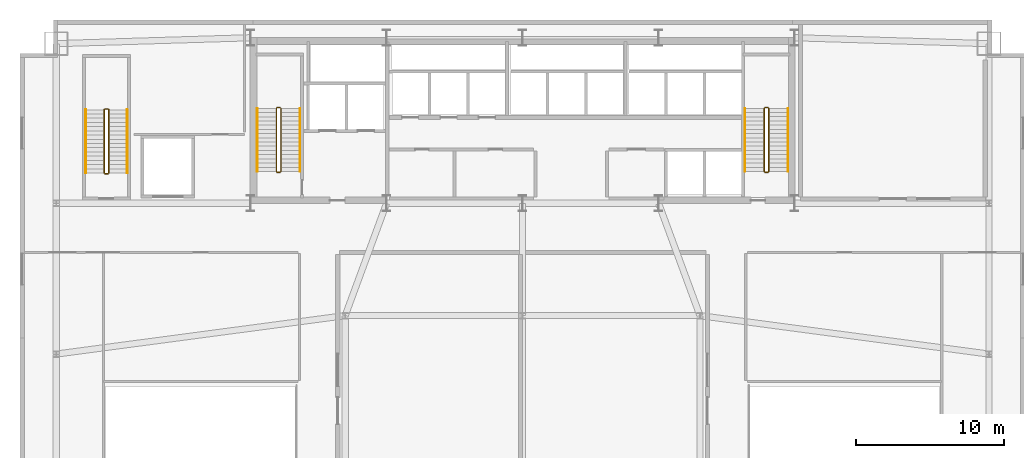
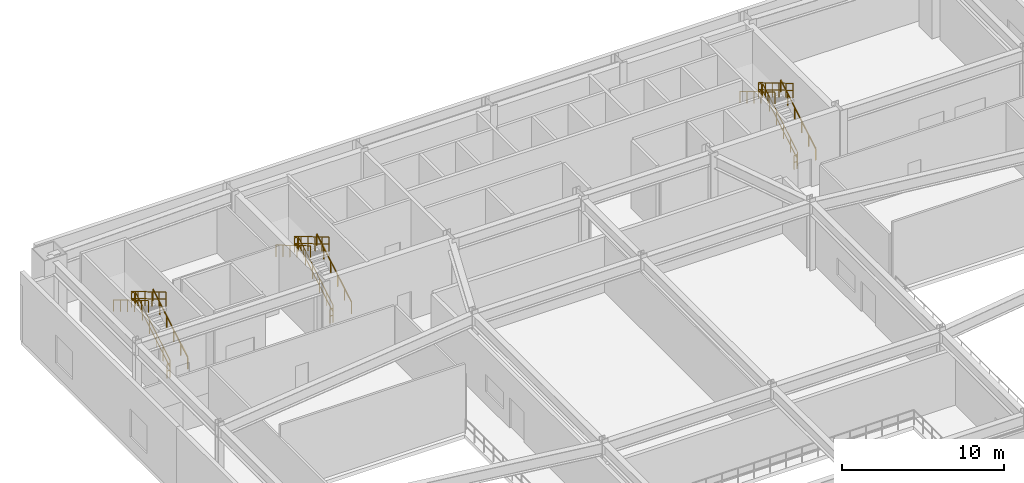
# One storey, part 13 of 13: 18 railings.
"""IFC4 building model written with IfcOpenShell, lengths in metres."""

from ifc_helpers import new_model, si_unit, direction, frame, origin, origin_2d, place, context, subcontext, project, spatial, rectangle, extrude, material, type_object, element, save


model = new_model("IFC4")

# Units and contexts
model_context = context("Model", 3, precision=1e-05, world=origin(), true_north=direction((0.0, 1.0)))
body_context = subcontext(model_context, "Body", "Model", "MODEL_VIEW")
ifc_project = project(units=[si_unit("LENGTHUNIT", "METRE"), si_unit("AREAUNIT", "SQUARE_METRE"), si_unit("VOLUMEUNIT", "CUBIC_METRE"), si_unit("PLANEANGLEUNIT", "RADIAN"), si_unit("MASSUNIT", "GRAM", prefix="KILO")], contexts=[model_context])

# Site, building, storey
site_placement = place(None, origin())
site = spatial("IfcSite", under=ifc_project, at=site_placement, CompositionType="ELEMENT")
building_placement = place(site_placement, origin())
building = spatial("IfcBuilding", under=site, at=building_placement, Name="Varnel Quay Broadcast Tower", CompositionType="ELEMENT")
storey_placement = place(building_placement, frame((0.0, 0.0, 6.0)))
storey = spatial("IfcBuildingStorey", under=building, at=storey_placement, Name="L01", CompositionType="ELEMENT", Elevation=6.0)

# Railings
ifc_material = material(Name="Painted Steel Guard and Handrail CSA G40.21 350W", Category="steel")
railing_type_1 = type_object("IfcRailingType", Name="Rail_StairGuard1100", PredefinedType="GUARDRAIL", material=ifc_material)
railing_1_placement = place(storey_placement, frame((17.64990234375, 37.75, 0.168701171875)))
element("IfcRailing", 1, at=railing_1_placement, inside=storey, type_object=railing_type_1, Name="L01 ST-01 stair guard 1", PredefinedType="GUARDRAIL", context=body_context, shape_type="SweptSolid", body=[
    extrude(rectangle(XDim=0.048095703125, YDim=0.048095703125, at=origin_2d()), frame((0.0, 0.0, 1.076171875), z_axis=(0.0, 0.860470286479, 0.509500624227), x_axis=(-1.0, 0.0, 0.0)), (0.0, 0.0, 1.0), 4.968017578125),
    extrude(rectangle(XDim=0.048095703125, YDim=0.048095703125, at=origin_2d()), frame((0.0, 0.0, 0.550048828125), z_axis=(0.0, 0.860470286479, 0.509500624227), x_axis=(-1.0, 0.0, 0.0)), (0.0, 0.0, 1.0), 4.968017578125),
    extrude(rectangle(XDim=0.0419921875, YDim=0.0419921875, at=origin_2d()), origin(), (0.0, 0.0, 1.0), 1.052001953125),
    extrude(rectangle(XDim=0.0419921875, YDim=0.0419921875, at=origin_2d()), frame((0.0, 0.85498046875, 0.50634765625)), (0.0, 0.0, 1.0), 1.052001953125),
    extrude(rectangle(XDim=0.0419921875, YDim=0.0419921875, at=origin_2d()), frame((0.0, 1.7099609375, 1.012451171875)), (0.0, 0.0, 1.0), 1.052001953125),
    extrude(rectangle(XDim=0.0419921875, YDim=0.0419921875, at=origin_2d()), frame((0.0, 2.56494140625, 1.518798828125)), (0.0, 0.0, 1.0), 1.052001953125),
    extrude(rectangle(XDim=0.0419921875, YDim=0.0419921875, at=origin_2d()), frame((0.0, 3.419921875, 2.02490234375)), (0.0, 0.0, 1.0), 1.052001953125),
    extrude(rectangle(XDim=0.0419921875, YDim=0.0419921875, at=origin_2d()), frame((0.0, 4.27490234375, 2.53125)), (0.0, 0.0, 1.0), 1.052001953125),
])
railing_2_placement = place(storey_placement, frame((17.60009765625, 42.074951171875, 2.699951171875)))
element("IfcRailing", 2, at=railing_2_placement, inside=storey, type_object=railing_type_1, Name="L01 ST-01 stair guard 2", PredefinedType="GUARDRAIL", context=body_context, shape_type="SweptSolid", body=[
    extrude(rectangle(XDim=0.048095703125, YDim=0.048095703125, at=origin_2d()), frame((0.0, 0.0, 1.076171875), z_axis=(-1.0, 0.0, 0.0), x_axis=(0.0, -1.0, 0.0)), (0.0, 0.0, 1.0), 0.2001953125),
    extrude(rectangle(XDim=0.048095703125, YDim=0.048095703125, at=origin_2d()), frame((0.0, 0.0, 0.550048828125), z_axis=(-1.0, 0.0, 0.0), x_axis=(0.0, -1.0, 0.0)), (0.0, 0.0, 1.0), 0.2001953125),
    extrude(rectangle(XDim=0.0419921875, YDim=0.0419921875, at=origin_2d()), origin(), (0.0, 0.0, 1.0), 1.052001953125),
    extrude(rectangle(XDim=0.0419921875, YDim=0.0419921875, at=origin_2d()), frame((-0.2001953125, 0.0, 0.0)), (0.0, 0.0, 1.0), 1.052001953125),
])
railing_3_placement = place(storey_placement, frame((17.35009765625, 42.02490234375, 2.86865234375)))
element("IfcRailing", 3, at=railing_3_placement, inside=storey, type_object=railing_type_1, Name="L01 ST-01 stair guard 3", PredefinedType="GUARDRAIL", context=body_context, shape_type="SweptSolid", body=[
    extrude(rectangle(XDim=0.048095703125, YDim=0.048095703125, at=origin_2d()), frame((0.0, 0.0, 1.076171875), z_axis=(0.0, -0.860470286479, 0.509500624227), x_axis=(1.0, 0.0, 0.0)), (0.0, 0.0, 1.0), 4.968017578125),
    extrude(rectangle(XDim=0.048095703125, YDim=0.048095703125, at=origin_2d()), frame((0.0, 0.0, 0.550048828125), z_axis=(0.0, -0.860470286479, 0.509500624227), x_axis=(1.0, 0.0, 0.0)), (0.0, 0.0, 1.0), 4.968017578125),
    extrude(rectangle(XDim=0.0419921875, YDim=0.0419921875, at=origin_2d()), origin(), (0.0, 0.0, 1.0), 1.052001953125),
    extrude(rectangle(XDim=0.0419921875, YDim=0.0419921875, at=origin_2d()), frame((0.0, -0.85498046875, 0.50634765625)), (0.0, 0.0, 1.0), 1.052001953125),
    extrude(rectangle(XDim=0.0419921875, YDim=0.0419921875, at=origin_2d()), frame((0.0, -1.7099609375, 1.012451171875)), (0.0, 0.0, 1.0), 1.052001953125),
    extrude(rectangle(XDim=0.0419921875, YDim=0.0419921875, at=origin_2d()), frame((0.0, -2.56494140625, 1.518798828125)), (0.0, 0.0, 1.0), 1.052001953125),
    extrude(rectangle(XDim=0.0419921875, YDim=0.0419921875, at=origin_2d()), frame((0.0, -3.419921875, 2.02490234375)), (0.0, 0.0, 1.0), 1.052001953125),
    extrude(rectangle(XDim=0.0419921875, YDim=0.0419921875, at=origin_2d()), frame((0.0, -4.27490234375, 2.53125)), (0.0, 0.0, 1.0), 1.052001953125),
])
railing_4_placement = place(storey_placement, frame((17.60009765625, 37.699951171875, 0.0)))
element("IfcRailing", 4, at=railing_4_placement, inside=storey, type_object=railing_type_1, Name="L01 ST-01 stair guard 4", PredefinedType="GUARDRAIL", context=body_context, shape_type="SweptSolid", body=[
    extrude(rectangle(XDim=0.048095703125, YDim=0.048095703125, at=origin_2d()), frame((0.0, 0.0, 1.076171875), z_axis=(-1.0, 0.0, 0.0), x_axis=(0.0, -1.0, 0.0)), (0.0, 0.0, 1.0), 0.2001953125),
    extrude(rectangle(XDim=0.048095703125, YDim=0.048095703125, at=origin_2d()), frame((0.0, 0.0, 0.550048828125), z_axis=(-1.0, 0.0, 0.0), x_axis=(0.0, -1.0, 0.0)), (0.0, 0.0, 1.0), 0.2001953125),
    extrude(rectangle(XDim=0.0419921875, YDim=0.0419921875, at=origin_2d()), origin(), (0.0, 0.0, 1.0), 1.052001953125),
    extrude(rectangle(XDim=0.0419921875, YDim=0.0419921875, at=origin_2d()), frame((-0.2001953125, 0.0, 0.0)), (0.0, 0.0, 1.0), 1.052001953125),
])
railing_5_placement = place(storey_placement, frame((50.64990234375, 37.75, 0.168701171875)))
element("IfcRailing", 5, at=railing_5_placement, inside=storey, type_object=railing_type_1, Name="L01 ST-02 stair guard 1", PredefinedType="GUARDRAIL", context=body_context, shape_type="SweptSolid", body=[
    extrude(rectangle(XDim=0.048095703125, YDim=0.048095703125, at=origin_2d()), frame((0.0, 0.0, 1.076171875), z_axis=(0.0, 0.860470286479, 0.509500624227), x_axis=(-1.0, 0.0, 0.0)), (0.0, 0.0, 1.0), 4.968017578125),
    extrude(rectangle(XDim=0.048095703125, YDim=0.048095703125, at=origin_2d()), frame((0.0, 0.0, 0.550048828125), z_axis=(0.0, 0.860470286479, 0.509500624227), x_axis=(-1.0, 0.0, 0.0)), (0.0, 0.0, 1.0), 4.968017578125),
    extrude(rectangle(XDim=0.0419921875, YDim=0.0419921875, at=origin_2d()), origin(), (0.0, 0.0, 1.0), 1.052001953125),
    extrude(rectangle(XDim=0.0419921875, YDim=0.0419921875, at=origin_2d()), frame((0.0, 0.85498046875, 0.50634765625)), (0.0, 0.0, 1.0), 1.052001953125),
    extrude(rectangle(XDim=0.0419921875, YDim=0.0419921875, at=origin_2d()), frame((0.0, 1.7099609375, 1.012451171875)), (0.0, 0.0, 1.0), 1.052001953125),
    extrude(rectangle(XDim=0.0419921875, YDim=0.0419921875, at=origin_2d()), frame((0.0, 2.56494140625, 1.518798828125)), (0.0, 0.0, 1.0), 1.052001953125),
    extrude(rectangle(XDim=0.0419921875, YDim=0.0419921875, at=origin_2d()), frame((0.0, 3.419921875, 2.02490234375)), (0.0, 0.0, 1.0), 1.052001953125),
    extrude(rectangle(XDim=0.0419921875, YDim=0.0419921875, at=origin_2d()), frame((0.0, 4.27490234375, 2.53125)), (0.0, 0.0, 1.0), 1.052001953125),
])
railing_6_placement = place(storey_placement, frame((50.60009765625, 42.074951171875, 2.699951171875)))
element("IfcRailing", 6, at=railing_6_placement, inside=storey, type_object=railing_type_1, Name="L01 ST-02 stair guard 2", PredefinedType="GUARDRAIL", context=body_context, shape_type="SweptSolid", body=[
    extrude(rectangle(XDim=0.048095703125, YDim=0.048095703125, at=origin_2d()), frame((0.0, 0.0, 1.076171875), z_axis=(-1.0, 0.0, 0.0), x_axis=(0.0, -1.0, 0.0)), (0.0, 0.0, 1.0), 0.2001953125),
    extrude(rectangle(XDim=0.048095703125, YDim=0.048095703125, at=origin_2d()), frame((0.0, 0.0, 0.550048828125), z_axis=(-1.0, 0.0, 0.0), x_axis=(0.0, -1.0, 0.0)), (0.0, 0.0, 1.0), 0.2001953125),
    extrude(rectangle(XDim=0.0419921875, YDim=0.0419921875, at=origin_2d()), origin(), (0.0, 0.0, 1.0), 1.052001953125),
    extrude(rectangle(XDim=0.0419921875, YDim=0.0419921875, at=origin_2d()), frame((-0.2001953125, 0.0, 0.0)), (0.0, 0.0, 1.0), 1.052001953125),
])
railing_7_placement = place(storey_placement, frame((50.35009765625, 42.02490234375, 2.86865234375)))
element("IfcRailing", 7, at=railing_7_placement, inside=storey, type_object=railing_type_1, Name="L01 ST-02 stair guard 3", PredefinedType="GUARDRAIL", context=body_context, shape_type="SweptSolid", body=[
    extrude(rectangle(XDim=0.048095703125, YDim=0.048095703125, at=origin_2d()), frame((0.0, 0.0, 1.076171875), z_axis=(0.0, -0.860470286479, 0.509500624227), x_axis=(1.0, 0.0, 0.0)), (0.0, 0.0, 1.0), 4.968017578125),
    extrude(rectangle(XDim=0.048095703125, YDim=0.048095703125, at=origin_2d()), frame((0.0, 0.0, 0.550048828125), z_axis=(0.0, -0.860470286479, 0.509500624227), x_axis=(1.0, 0.0, 0.0)), (0.0, 0.0, 1.0), 4.968017578125),
    extrude(rectangle(XDim=0.0419921875, YDim=0.0419921875, at=origin_2d()), origin(), (0.0, 0.0, 1.0), 1.052001953125),
    extrude(rectangle(XDim=0.0419921875, YDim=0.0419921875, at=origin_2d()), frame((0.0, -0.85498046875, 0.50634765625)), (0.0, 0.0, 1.0), 1.052001953125),
    extrude(rectangle(XDim=0.0419921875, YDim=0.0419921875, at=origin_2d()), frame((0.0, -1.7099609375, 1.012451171875)), (0.0, 0.0, 1.0), 1.052001953125),
    extrude(rectangle(XDim=0.0419921875, YDim=0.0419921875, at=origin_2d()), frame((0.0, -2.56494140625, 1.518798828125)), (0.0, 0.0, 1.0), 1.052001953125),
    extrude(rectangle(XDim=0.0419921875, YDim=0.0419921875, at=origin_2d()), frame((0.0, -3.419921875, 2.02490234375)), (0.0, 0.0, 1.0), 1.052001953125),
    extrude(rectangle(XDim=0.0419921875, YDim=0.0419921875, at=origin_2d()), frame((0.0, -4.27490234375, 2.53125)), (0.0, 0.0, 1.0), 1.052001953125),
])
railing_8_placement = place(storey_placement, frame((50.60009765625, 37.699951171875, 0.0)))
element("IfcRailing", 8, at=railing_8_placement, inside=storey, type_object=railing_type_1, Name="L01 ST-02 stair guard 4", PredefinedType="GUARDRAIL", context=body_context, shape_type="SweptSolid", body=[
    extrude(rectangle(XDim=0.048095703125, YDim=0.048095703125, at=origin_2d()), frame((0.0, 0.0, 1.076171875), z_axis=(-1.0, 0.0, 0.0), x_axis=(0.0, -1.0, 0.0)), (0.0, 0.0, 1.0), 0.2001953125),
    extrude(rectangle(XDim=0.048095703125, YDim=0.048095703125, at=origin_2d()), frame((0.0, 0.0, 0.550048828125), z_axis=(-1.0, 0.0, 0.0), x_axis=(0.0, -1.0, 0.0)), (0.0, 0.0, 1.0), 0.2001953125),
    extrude(rectangle(XDim=0.0419921875, YDim=0.0419921875, at=origin_2d()), origin(), (0.0, 0.0, 1.0), 1.052001953125),
    extrude(rectangle(XDim=0.0419921875, YDim=0.0419921875, at=origin_2d()), frame((-0.2001953125, 0.0, 0.0)), (0.0, 0.0, 1.0), 1.052001953125),
])
railing_9_placement = place(storey_placement, frame((6.0, 37.64990234375, 0.168701171875)))
element("IfcRailing", 9, at=railing_9_placement, inside=storey, type_object=railing_type_1, Name="L01 ST-03 stair guard 1", PredefinedType="GUARDRAIL", context=body_context, shape_type="SweptSolid", body=[
    extrude(rectangle(XDim=0.048095703125, YDim=0.048095703125, at=origin_2d()), frame((0.0, 0.0, 1.076171875), z_axis=(0.0, 0.860483042394, 0.50947908078), x_axis=(-1.0, 0.0, 0.0)), (0.0, 0.0, 1.0), 4.96826171875),
    extrude(rectangle(XDim=0.048095703125, YDim=0.048095703125, at=origin_2d()), frame((0.0, 0.0, 0.550048828125), z_axis=(0.0, 0.860483042394, 0.50947908078), x_axis=(-1.0, 0.0, 0.0)), (0.0, 0.0, 1.0), 4.96826171875),
    extrude(rectangle(XDim=0.0419921875, YDim=0.0419921875, at=origin_2d()), origin(), (0.0, 0.0, 1.0), 1.052001953125),
    extrude(rectangle(XDim=0.0419921875, YDim=0.0419921875, at=origin_2d()), frame((0.0, 0.85498046875, 0.50634765625)), (0.0, 0.0, 1.0), 1.052001953125),
    extrude(rectangle(XDim=0.0419921875, YDim=0.0419921875, at=origin_2d()), frame((0.0, 1.7099609375, 1.012451171875)), (0.0, 0.0, 1.0), 1.052001953125),
    extrude(rectangle(XDim=0.0419921875, YDim=0.0419921875, at=origin_2d()), frame((0.0, 2.565185546875, 1.518798828125)), (0.0, 0.0, 1.0), 1.052001953125),
    extrude(rectangle(XDim=0.0419921875, YDim=0.0419921875, at=origin_2d()), frame((0.0, 3.420166015625, 2.02490234375)), (0.0, 0.0, 1.0), 1.052001953125),
    extrude(rectangle(XDim=0.0419921875, YDim=0.0419921875, at=origin_2d()), frame((0.0, 4.275146484375, 2.53125)), (0.0, 0.0, 1.0), 1.052001953125),
])
railing_10_placement = place(storey_placement, frame((5.949951171875, 41.97509765625, 2.699951171875)))
element("IfcRailing", 10, at=railing_10_placement, inside=storey, type_object=railing_type_1, Name="L01 ST-03 stair guard 2", PredefinedType="GUARDRAIL", context=body_context, shape_type="SweptSolid", body=[
    extrude(rectangle(XDim=0.048095703125, YDim=0.048095703125, at=origin_2d()), frame((0.0, 0.0, 1.076171875), z_axis=(-1.0, 0.0, 0.0), x_axis=(0.0, -1.0, 0.0)), (0.0, 0.0, 1.0), 0.199951171875),
    extrude(rectangle(XDim=0.048095703125, YDim=0.048095703125, at=origin_2d()), frame((0.0, 0.0, 0.550048828125), z_axis=(-1.0, 0.0, 0.0), x_axis=(0.0, -1.0, 0.0)), (0.0, 0.0, 1.0), 0.199951171875),
    extrude(rectangle(XDim=0.0419921875, YDim=0.0419921875, at=origin_2d()), origin(), (0.0, 0.0, 1.0), 1.052001953125),
    extrude(rectangle(XDim=0.0419921875, YDim=0.0419921875, at=origin_2d()), frame((-0.199951171875, 0.0, 0.0)), (0.0, 0.0, 1.0), 1.052001953125),
])
railing_11_placement = place(storey_placement, frame((5.699951171875, 41.925048828125, 2.86865234375)))
element("IfcRailing", 11, at=railing_11_placement, inside=storey, type_object=railing_type_1, Name="L01 ST-03 stair guard 3", PredefinedType="GUARDRAIL", context=body_context, shape_type="SweptSolid", body=[
    extrude(rectangle(XDim=0.048095703125, YDim=0.048095703125, at=origin_2d()), frame((0.0, 0.0, 1.076171875), z_axis=(0.0, -0.860483042394, 0.50947908078), x_axis=(1.0, 0.0, 0.0)), (0.0, 0.0, 1.0), 4.96826171875),
    extrude(rectangle(XDim=0.048095703125, YDim=0.048095703125, at=origin_2d()), frame((0.0, 0.0, 0.550048828125), z_axis=(0.0, -0.860483042394, 0.50947908078), x_axis=(1.0, 0.0, 0.0)), (0.0, 0.0, 1.0), 4.96826171875),
    extrude(rectangle(XDim=0.0419921875, YDim=0.0419921875, at=origin_2d()), origin(), (0.0, 0.0, 1.0), 1.052001953125),
    extrude(rectangle(XDim=0.0419921875, YDim=0.0419921875, at=origin_2d()), frame((0.0, -0.85498046875, 0.50634765625)), (0.0, 0.0, 1.0), 1.052001953125),
    extrude(rectangle(XDim=0.0419921875, YDim=0.0419921875, at=origin_2d()), frame((0.0, -1.7099609375, 1.012451171875)), (0.0, 0.0, 1.0), 1.052001953125),
    extrude(rectangle(XDim=0.0419921875, YDim=0.0419921875, at=origin_2d()), frame((0.0, -2.565185546875, 1.518798828125)), (0.0, 0.0, 1.0), 1.052001953125),
    extrude(rectangle(XDim=0.0419921875, YDim=0.0419921875, at=origin_2d()), frame((0.0, -3.420166015625, 2.02490234375)), (0.0, 0.0, 1.0), 1.052001953125),
    extrude(rectangle(XDim=0.0419921875, YDim=0.0419921875, at=origin_2d()), frame((0.0, -4.275146484375, 2.53125)), (0.0, 0.0, 1.0), 1.052001953125),
])
railing_12_placement = place(storey_placement, frame((5.949951171875, 37.60009765625, 0.0)))
element("IfcRailing", 12, at=railing_12_placement, inside=storey, type_object=railing_type_1, Name="L01 ST-03 stair guard 4", PredefinedType="GUARDRAIL", context=body_context, shape_type="SweptSolid", body=[
    extrude(rectangle(XDim=0.048095703125, YDim=0.048095703125, at=origin_2d()), frame((0.0, 0.0, 1.076171875), z_axis=(-1.0, 0.0, 0.0), x_axis=(0.0, -1.0, 0.0)), (0.0, 0.0, 1.0), 0.199951171875),
    extrude(rectangle(XDim=0.048095703125, YDim=0.048095703125, at=origin_2d()), frame((0.0, 0.0, 0.550048828125), z_axis=(-1.0, 0.0, 0.0), x_axis=(0.0, -1.0, 0.0)), (0.0, 0.0, 1.0), 0.199951171875),
    extrude(rectangle(XDim=0.0419921875, YDim=0.0419921875, at=origin_2d()), origin(), (0.0, 0.0, 1.0), 1.052001953125),
    extrude(rectangle(XDim=0.0419921875, YDim=0.0419921875, at=origin_2d()), frame((-0.199951171875, 0.0, 0.0)), (0.0, 0.0, 1.0), 1.052001953125),
])
railing_type_2 = type_object("IfcRailingType", Name="Rail_StairHandrail900", PredefinedType="HANDRAIL", material=ifc_material)
railing_13_placement = place(storey_placement, frame((18.949951171875, 37.75, 0.168701171875)))
element("IfcRailing", 13, at=railing_13_placement, inside=storey, type_object=railing_type_2, Name="L01 ST-01 stair handrail 1", PredefinedType="HANDRAIL", context=body_context, shape_type="SweptSolid", body=[
    extrude(rectangle(XDim=0.048095703125, YDim=0.048095703125, at=origin_2d()), frame((0.0, 0.0, 0.8759765625), z_axis=(0.0, 0.860470286479, 0.509500624227), x_axis=(-1.0, 0.0, 0.0)), (0.0, 0.0, 1.0), 4.968017578125),
    extrude(rectangle(XDim=0.0419921875, YDim=0.0419921875, at=origin_2d()), origin(), (0.0, 0.0, 1.0), 0.851806640625),
    extrude(rectangle(XDim=0.0419921875, YDim=0.0419921875, at=origin_2d()), frame((0.0, 0.85498046875, 0.50634765625)), (0.0, 0.0, 1.0), 0.851806640625),
    extrude(rectangle(XDim=0.0419921875, YDim=0.0419921875, at=origin_2d()), frame((0.0, 1.7099609375, 1.012451171875)), (0.0, 0.0, 1.0), 0.851806640625),
    extrude(rectangle(XDim=0.0419921875, YDim=0.0419921875, at=origin_2d()), frame((0.0, 2.56494140625, 1.518798828125)), (0.0, 0.0, 1.0), 0.851806640625),
    extrude(rectangle(XDim=0.0419921875, YDim=0.0419921875, at=origin_2d()), frame((0.0, 3.419921875, 2.02490234375)), (0.0, 0.0, 1.0), 0.851806640625),
    extrude(rectangle(XDim=0.0419921875, YDim=0.0419921875, at=origin_2d()), frame((0.0, 4.27490234375, 2.53125)), (0.0, 0.0, 1.0), 0.851806640625),
])
railing_14_placement = place(storey_placement, frame((16.050048828125, 42.02490234375, 2.86865234375)))
element("IfcRailing", 14, at=railing_14_placement, inside=storey, type_object=railing_type_2, Name="L01 ST-01 stair handrail 2", PredefinedType="HANDRAIL", context=body_context, shape_type="SweptSolid", body=[
    extrude(rectangle(XDim=0.048095703125, YDim=0.048095703125, at=origin_2d()), frame((0.0, 0.0, 0.8759765625), z_axis=(0.0, -0.860470286479, 0.509500624227), x_axis=(1.0, 0.0, 0.0)), (0.0, 0.0, 1.0), 4.968017578125),
    extrude(rectangle(XDim=0.0419921875, YDim=0.0419921875, at=origin_2d()), origin(), (0.0, 0.0, 1.0), 0.851806640625),
    extrude(rectangle(XDim=0.0419921875, YDim=0.0419921875, at=origin_2d()), frame((0.0, -0.85498046875, 0.50634765625)), (0.0, 0.0, 1.0), 0.851806640625),
    extrude(rectangle(XDim=0.0419921875, YDim=0.0419921875, at=origin_2d()), frame((0.0, -1.7099609375, 1.012451171875)), (0.0, 0.0, 1.0), 0.851806640625),
    extrude(rectangle(XDim=0.0419921875, YDim=0.0419921875, at=origin_2d()), frame((0.0, -2.56494140625, 1.518798828125)), (0.0, 0.0, 1.0), 0.851806640625),
    extrude(rectangle(XDim=0.0419921875, YDim=0.0419921875, at=origin_2d()), frame((0.0, -3.419921875, 2.02490234375)), (0.0, 0.0, 1.0), 0.851806640625),
    extrude(rectangle(XDim=0.0419921875, YDim=0.0419921875, at=origin_2d()), frame((0.0, -4.27490234375, 2.53125)), (0.0, 0.0, 1.0), 0.851806640625),
])
railing_15_placement = place(storey_placement, frame((51.949951171875, 37.75, 0.168701171875)))
element("IfcRailing", 15, at=railing_15_placement, inside=storey, type_object=railing_type_2, Name="L01 ST-02 stair handrail 1", PredefinedType="HANDRAIL", context=body_context, shape_type="SweptSolid", body=[
    extrude(rectangle(XDim=0.048095703125, YDim=0.048095703125, at=origin_2d()), frame((0.0, 0.0, 0.8759765625), z_axis=(0.0, 0.860470286479, 0.509500624227), x_axis=(-1.0, 0.0, 0.0)), (0.0, 0.0, 1.0), 4.968017578125),
    extrude(rectangle(XDim=0.0419921875, YDim=0.0419921875, at=origin_2d()), origin(), (0.0, 0.0, 1.0), 0.851806640625),
    extrude(rectangle(XDim=0.0419921875, YDim=0.0419921875, at=origin_2d()), frame((0.0, 0.85498046875, 0.50634765625)), (0.0, 0.0, 1.0), 0.851806640625),
    extrude(rectangle(XDim=0.0419921875, YDim=0.0419921875, at=origin_2d()), frame((0.0, 1.7099609375, 1.012451171875)), (0.0, 0.0, 1.0), 0.851806640625),
    extrude(rectangle(XDim=0.0419921875, YDim=0.0419921875, at=origin_2d()), frame((0.0, 2.56494140625, 1.518798828125)), (0.0, 0.0, 1.0), 0.851806640625),
    extrude(rectangle(XDim=0.0419921875, YDim=0.0419921875, at=origin_2d()), frame((0.0, 3.419921875, 2.02490234375)), (0.0, 0.0, 1.0), 0.851806640625),
    extrude(rectangle(XDim=0.0419921875, YDim=0.0419921875, at=origin_2d()), frame((0.0, 4.27490234375, 2.53125)), (0.0, 0.0, 1.0), 0.851806640625),
])
railing_16_placement = place(storey_placement, frame((49.050048828125, 42.02490234375, 2.86865234375)))
element("IfcRailing", 16, at=railing_16_placement, inside=storey, type_object=railing_type_2, Name="L01 ST-02 stair handrail 2", PredefinedType="HANDRAIL", context=body_context, shape_type="SweptSolid", body=[
    extrude(rectangle(XDim=0.048095703125, YDim=0.048095703125, at=origin_2d()), frame((0.0, 0.0, 0.8759765625), z_axis=(0.0, -0.860470286479, 0.509500624227), x_axis=(1.0, 0.0, 0.0)), (0.0, 0.0, 1.0), 4.968017578125),
    extrude(rectangle(XDim=0.0419921875, YDim=0.0419921875, at=origin_2d()), origin(), (0.0, 0.0, 1.0), 0.851806640625),
    extrude(rectangle(XDim=0.0419921875, YDim=0.0419921875, at=origin_2d()), frame((0.0, -0.85498046875, 0.50634765625)), (0.0, 0.0, 1.0), 0.851806640625),
    extrude(rectangle(XDim=0.0419921875, YDim=0.0419921875, at=origin_2d()), frame((0.0, -1.7099609375, 1.012451171875)), (0.0, 0.0, 1.0), 0.851806640625),
    extrude(rectangle(XDim=0.0419921875, YDim=0.0419921875, at=origin_2d()), frame((0.0, -2.56494140625, 1.518798828125)), (0.0, 0.0, 1.0), 0.851806640625),
    extrude(rectangle(XDim=0.0419921875, YDim=0.0419921875, at=origin_2d()), frame((0.0, -3.419921875, 2.02490234375)), (0.0, 0.0, 1.0), 0.851806640625),
    extrude(rectangle(XDim=0.0419921875, YDim=0.0419921875, at=origin_2d()), frame((0.0, -4.27490234375, 2.53125)), (0.0, 0.0, 1.0), 0.851806640625),
])
railing_17_placement = place(storey_placement, frame((7.25, 37.64990234375, 0.168701171875)))
element("IfcRailing", 17, at=railing_17_placement, inside=storey, type_object=railing_type_2, Name="L01 ST-03 stair handrail 1", PredefinedType="HANDRAIL", context=body_context, shape_type="SweptSolid", body=[
    extrude(rectangle(XDim=0.048095703125, YDim=0.048095703125, at=origin_2d()), frame((0.0, 0.0, 0.8759765625), z_axis=(0.0, 0.860483042394, 0.50947908078), x_axis=(-1.0, 0.0, 0.0)), (0.0, 0.0, 1.0), 4.96826171875),
    extrude(rectangle(XDim=0.0419921875, YDim=0.0419921875, at=origin_2d()), origin(), (0.0, 0.0, 1.0), 0.851806640625),
    extrude(rectangle(XDim=0.0419921875, YDim=0.0419921875, at=origin_2d()), frame((0.0, 0.85498046875, 0.50634765625)), (0.0, 0.0, 1.0), 0.851806640625),
    extrude(rectangle(XDim=0.0419921875, YDim=0.0419921875, at=origin_2d()), frame((0.0, 1.7099609375, 1.012451171875)), (0.0, 0.0, 1.0), 0.851806640625),
    extrude(rectangle(XDim=0.0419921875, YDim=0.0419921875, at=origin_2d()), frame((0.0, 2.565185546875, 1.518798828125)), (0.0, 0.0, 1.0), 0.851806640625),
    extrude(rectangle(XDim=0.0419921875, YDim=0.0419921875, at=origin_2d()), frame((0.0, 3.420166015625, 2.02490234375)), (0.0, 0.0, 1.0), 0.851806640625),
    extrude(rectangle(XDim=0.0419921875, YDim=0.0419921875, at=origin_2d()), frame((0.0, 4.275146484375, 2.53125)), (0.0, 0.0, 1.0), 0.851806640625),
])
railing_18_placement = place(storey_placement, frame((4.449951171875, 41.925048828125, 2.86865234375)))
element("IfcRailing", 18, at=railing_18_placement, inside=storey, type_object=railing_type_2, Name="L01 ST-03 stair handrail 2", PredefinedType="HANDRAIL", context=body_context, shape_type="SweptSolid", body=[
    extrude(rectangle(XDim=0.048095703125, YDim=0.048095703125, at=origin_2d()), frame((0.0, 0.0, 0.8759765625), z_axis=(0.0, -0.860483042394, 0.50947908078), x_axis=(1.0, 0.0, 0.0)), (0.0, 0.0, 1.0), 4.96826171875),
    extrude(rectangle(XDim=0.0419921875, YDim=0.0419921875, at=origin_2d()), origin(), (0.0, 0.0, 1.0), 0.851806640625),
    extrude(rectangle(XDim=0.0419921875, YDim=0.0419921875, at=origin_2d()), frame((0.0, -0.85498046875, 0.50634765625)), (0.0, 0.0, 1.0), 0.851806640625),
    extrude(rectangle(XDim=0.0419921875, YDim=0.0419921875, at=origin_2d()), frame((0.0, -1.7099609375, 1.012451171875)), (0.0, 0.0, 1.0), 0.851806640625),
    extrude(rectangle(XDim=0.0419921875, YDim=0.0419921875, at=origin_2d()), frame((0.0, -2.565185546875, 1.518798828125)), (0.0, 0.0, 1.0), 0.851806640625),
    extrude(rectangle(XDim=0.0419921875, YDim=0.0419921875, at=origin_2d()), frame((0.0, -3.420166015625, 2.02490234375)), (0.0, 0.0, 1.0), 0.851806640625),
    extrude(rectangle(XDim=0.0419921875, YDim=0.0419921875, at=origin_2d()), frame((0.0, -4.275146484375, 2.53125)), (0.0, 0.0, 1.0), 0.851806640625),
])

save(model, "model.ifc")
